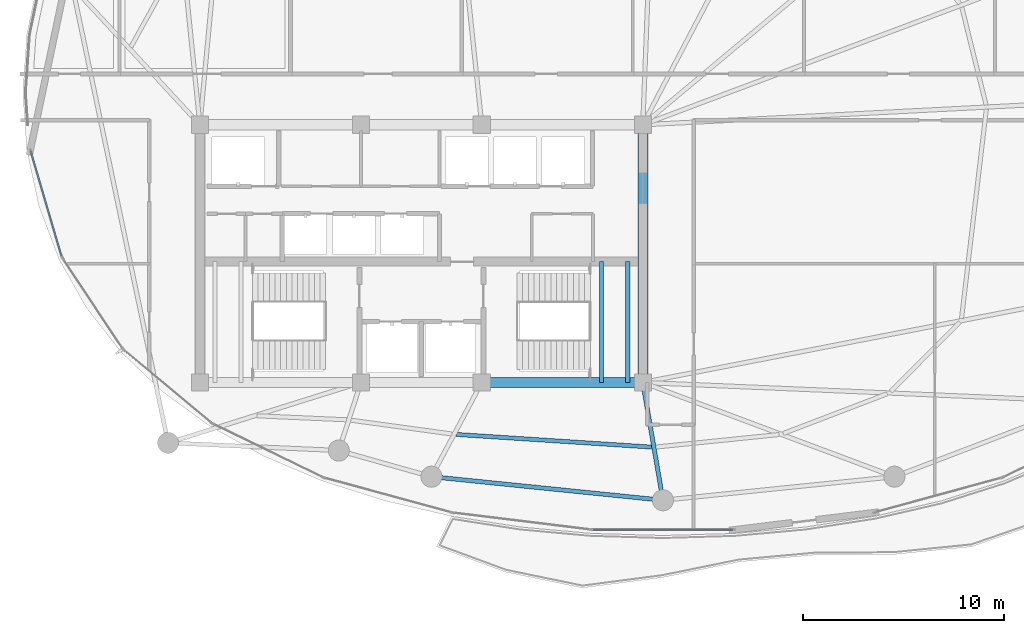
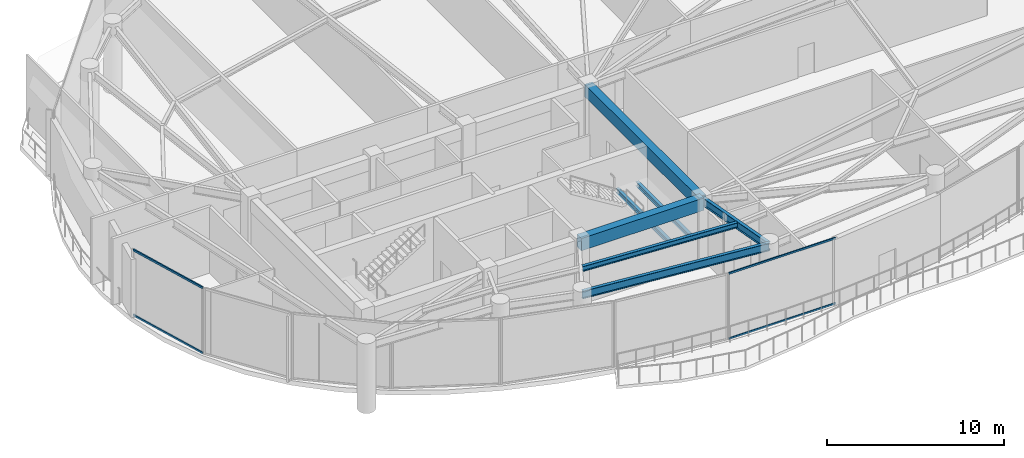
# One storey, part 6 of 28: 7 beams, 4 members, 2 elements without a shape of their own.
"""IFC4 building model written with IfcOpenShell, lengths in metres."""

from ifc_helpers import new_model, si_unit, direction, frame, origin, origin_2d, place, context, subcontext, project, spatial, rectangle, hollow_rectangle, i_section, extrude, material, layer, layer_set, material_profile, profile_set, type_object, element, aggregate, save


model = new_model("IFC4")

# Units and contexts
model_context = context("Model", 3, precision=1e-05, world=origin(), true_north=direction((0.0, 1.0)))
body_context = subcontext(model_context, "Body", "Model", "MODEL_VIEW")
ifc_project = project(units=[si_unit("LENGTHUNIT", "METRE"), si_unit("AREAUNIT", "SQUARE_METRE"), si_unit("VOLUMEUNIT", "CUBIC_METRE"), si_unit("PLANEANGLEUNIT", "RADIAN"), si_unit("MASSUNIT", "GRAM", prefix="KILO")], contexts=[model_context])

# Site, building, storey
site_placement = place(None, origin())
site = spatial("IfcSite", under=ifc_project, at=site_placement, CompositionType="ELEMENT")
building_placement = place(site_placement, origin())
building = spatial("IfcBuilding", under=site, at=building_placement, Name="Kazevale Care Tower and Concert Hall", CompositionType="ELEMENT")
storey_placement = place(building_placement, frame((0.0, 0.0, 190.800048828125)))
storey = spatial("IfcBuildingStorey", under=building, at=storey_placement, Name="L50", CompositionType="ELEMENT", Elevation=190.800048828125)

# Curtain wall, members
ifc_material_1 = material(Name="Aluminium 6063-T6 and Low-E Glass", Category="aluminium")
ifc_layer_1 = layer(ifc_material_1, 0.179931640625)
ifc_layer_set_1 = layer_set([ifc_layer_1], Name="Aluminium 6063-T6 and Low-E Glass")
curtain_wall_type_1 = type_object("IfcCurtainWallType", Name="Waist & Upper Residential Curtain Wall CW-4", PredefinedType="NOTDEFINED", material=ifc_layer_set_1)
curtain_wall_1_placement = place(storey_placement, origin())
curtain_wall_1 = element("IfcCurtainWall", 1, at=curtain_wall_1_placement, inside=storey, type_object=curtain_wall_type_1, Name="cw:L50:f12", PredefinedType="NOTDEFINED")
ifc_material_2 = material(Name="Aluminium 6063-T6", Category="aluminium")
ifc_material_profile_1 = material_profile(ifc_material_2, hollow_rectangle(XDim=0.080078125, YDim=0.139892578125, WallThickness=0.00390625, at=origin_2d()), Name="ALU80x140x4")
ifc_profile_set_1 = profile_set([ifc_material_profile_1], Name="Aluminium 6063-T6")
member_type_1 = type_object("IfcMemberType", Name="CW-4 Transom ALU80x140x4", PredefinedType="USERDEFINED", material=ifc_profile_set_1)
member_1_placement = place(storey_placement, frame((15.12548828125, 29.897705078125, 0.0400390625), z_axis=(-0.282102705943, 0.95938421047, 0.0), x_axis=(-0.95938421047, -0.282102705943, 0.0)))
member_1 = element("IfcMember", 2, at=member_1_placement, type_object=member_type_1, Name="CW-4 transom 1.1", ObjectType="TRANSOM", PredefinedType="USERDEFINED", context=body_context, shape_type="SweptSolid", body=[
    extrude(hollow_rectangle(XDim=0.080078125, YDim=0.139892578125, WallThickness=0.00390625, at=origin_2d()), origin(), (0.0, 0.0, 1.0), 5.402099609375),
])
member_2_placement = place(storey_placement, frame((15.12548828125, 29.897705078125, 4.52001953125), z_axis=(-0.282102705943, 0.95938421047, 0.0), x_axis=(-0.95938421047, -0.282102705943, 0.0)))
member_2 = element("IfcMember", 3, at=member_2_placement, type_object=member_type_1, Name="CW-4 transom 1.2", ObjectType="TRANSOM", PredefinedType="USERDEFINED", context=body_context, shape_type="SweptSolid", body=[
    extrude(hollow_rectangle(XDim=0.080078125, YDim=0.139892578125, WallThickness=0.00390625, at=origin_2d()), origin(), (0.0, 0.0, 1.0), 5.402099609375),
])
aggregate(curtain_wall_1, [member_1, member_2])

ifc_layer_2 = layer(ifc_material_1, 0.179931640625)
ifc_layer_set_2 = layer_set([ifc_layer_2], Name="Aluminium 6063-T6 and Low-E Glass")
curtain_wall_type_2 = type_object("IfcCurtainWallType", Name="Sheltered Concave Balcony Curtain Wall CW-5", PredefinedType="NOTDEFINED", material=ifc_layer_set_2)
curtain_wall_2_placement = place(storey_placement, origin())
curtain_wall_2 = element("IfcCurtainWall", 4, at=curtain_wall_2_placement, inside=storey, type_object=curtain_wall_type_2, Name="cw:L50:f06", PredefinedType="NOTDEFINED")
ifc_material_profile_2 = material_profile(ifc_material_2, hollow_rectangle(XDim=0.074951171875, YDim=0.1201171875, WallThickness=0.00390625, at=origin_2d()), Name="ALU75x120x4")
ifc_profile_set_2 = profile_set([ifc_material_profile_2], Name="Aluminium 6063-T6")
member_type_2 = type_object("IfcMemberType", Name="CW-5 Transom ALU75x120x4", PredefinedType="USERDEFINED", material=ifc_profile_set_2)
member_3_placement = place(storey_placement, frame((48.47509765625, 16.284912109375, 0.037353515625), z_axis=(-1.0, 0.0, 0.0), x_axis=(0.0, -1.0, 0.0)))
member_3 = element("IfcMember", 5, at=member_3_placement, type_object=member_type_2, Name="CW-5 transom 1.1", ObjectType="TRANSOM", PredefinedType="USERDEFINED", context=body_context, shape_type="SweptSolid", body=[
    extrude(hollow_rectangle(XDim=0.074951171875, YDim=0.1201171875, WallThickness=0.00390625, at=origin_2d()), origin(), (0.0, 0.0, 1.0), 6.9501953125),
])
member_4_placement = place(storey_placement, frame((48.47509765625, 16.284912109375, 4.5224609375), z_axis=(-1.0, 0.0, 0.0), x_axis=(0.0, -1.0, 0.0)))
member_4 = element("IfcMember", 6, at=member_4_placement, type_object=member_type_2, Name="CW-5 transom 1.2", ObjectType="TRANSOM", PredefinedType="USERDEFINED", context=body_context, shape_type="SweptSolid", body=[
    extrude(hollow_rectangle(XDim=0.074951171875, YDim=0.1201171875, WallThickness=0.00390625, at=origin_2d()), origin(), (0.0, 0.0, 1.0), 6.9501953125),
])
aggregate(curtain_wall_2, [member_3, member_4])

# Beams
ifc_material_3 = material(Name="Concrete C60", Category="concrete")
ifc_material_profile_3 = material_profile(ifc_material_3, rectangle(XDim=0.5, YDim=0.85009765625, at=origin_2d()), Name="RC-B500x850")
ifc_profile_set_3 = profile_set([ifc_material_profile_3], Name="Concrete C60")
beam_type_1 = type_object("IfcBeamType", Name="Core Coupling Beam RC500x850", PredefinedType="LINTEL", material=ifc_profile_set_3)
beam_1_placement = place(storey_placement, frame((36.0, 23.60009765625, 4.135009765625), z_axis=(1.0, 0.0, 0.0), x_axis=(0.0, 1.0, 0.0)))
element("IfcBeam", 7, at=beam_1_placement, inside=storey, type_object=beam_type_1, Name="beam:L50:coretie:3", PredefinedType="LINTEL", context=body_context, shape_type="SweptSolid", body=[
    extrude(rectangle(XDim=0.5, YDim=0.85009765625, at=origin_2d()), origin(), (0.0, 0.0, 1.0), 8.0),
])
beam_2_placement = place(storey_placement, frame((44.0, 23.60009765625, 4.135009765625), z_axis=(0.0, 1.0, 0.0), x_axis=(-1.0, 0.0, 0.0)))
element("IfcBeam", 8, at=beam_2_placement, inside=storey, type_object=beam_type_1, Name="beam:L50:coretie:4", PredefinedType="LINTEL", context=body_context, shape_type="SweptSolid", body=[
    extrude(rectangle(XDim=0.5, YDim=0.85009765625, at=origin_2d()), origin(), (0.0, 0.0, 1.0), 12.7998046875),
])
ifc_material_4 = material(Name="Steel ASTM A572 Gr 50", Category="steel")
ifc_material_profile_4 = material_profile(ifc_material_4, i_section(OverallWidth=0.2119140625, OverallDepth=0.5439453125, WebThickness=0.01318359375, FlangeThickness=0.021240234375, at=origin_2d()), Name="W530x123")
ifc_profile_set_4 = profile_set([ifc_material_profile_4], Name="Steel ASTM A572 Gr 50")
beam_type_2 = type_object("IfcBeamType", Name="Radial Floor Girder W530x123", PredefinedType="BEAM", material=ifc_profile_set_4)
beam_3_placement = place(storey_placement, frame((44.0, 23.60009765625, 4.287841796875), z_axis=(0.168493389607, -0.985702783631, 0.0), x_axis=(0.985702783631, 0.168493389607, 0.0)))
element("IfcBeam", 9, at=beam_3_placement, inside=storey, type_object=beam_type_2, Name="beam:L50:rad:13", PredefinedType="BEAM", context=body_context, shape_type="SweptSolid", body=[
    extrude(i_section(OverallWidth=0.2119140625, OverallDepth=0.5439453125, WebThickness=0.01318359375, FlangeThickness=0.021240234375, at=origin_2d()), origin(), (0.0, 0.0, 1.0), 5.93505859375),
])
ifc_material_profile_5 = material_profile(ifc_material_4, i_section(OverallWidth=0.205078125, OverallDepth=0.35400390625, WebThickness=0.009521484375, FlangeThickness=0.016845703125, at=origin_2d()), Name="W360x79")
ifc_profile_set_5 = profile_set([ifc_material_profile_5], Name="Steel ASTM A572 Gr 50")
beam_type_3 = type_object("IfcBeamType", Name="Secondary Floor Joist W360x79", PredefinedType="JOIST", material=ifc_profile_set_5)
beam_4_placement = place(storey_placement, frame((34.72998046875, 21.01904296875, 4.383056640625), z_axis=(0.997903161374, -0.064724651559, 0.0), x_axis=(0.064724651559, 0.997903161374, 0.0)))
element("IfcBeam", 10, at=beam_4_placement, inside=storey, type_object=beam_type_3, Name="beam:L50:joist:12", PredefinedType="JOIST", context=body_context, shape_type="SweptSolid", body=[
    extrude(i_section(OverallWidth=0.205078125, OverallDepth=0.35400390625, WebThickness=0.009521484375, FlangeThickness=0.016845703125, at=origin_2d()), origin(), (0.0, 0.0, 1.0), 9.735595703125),
])
ifc_material_profile_6 = material_profile(ifc_material_4, i_section(OverallWidth=0.202880859375, OverallDepth=0.302978515625, WebThickness=0.007568359375, FlangeThickness=0.01318359375, at=origin_2d()), Name="W310x60")
ifc_profile_set_6 = profile_set([ifc_material_profile_6], Name="Steel ASTM A572 Gr 50")
beam_type_4 = type_object("IfcBeamType", Name="Stair & Balcony Trimmer W310x60", PredefinedType="BEAM", material=ifc_profile_set_6)
for number, where, z_axis, x_axis, name in (
    (11, (41.949951171875, 23.60009765625, 2.04833984375), (0.0, 1.0, 0.0), (-1.0, 0.0, 0.0), "beam:L50:sttrim:ST2"),
    (12, (43.25, 23.60009765625, 2.04833984375), (0.0, 1.0, 0.0), (-1.0, 0.0, 0.0), "beam:L50:sttrim:ST2b"),
):
    element("IfcBeam", number, at=place(storey_placement, frame(where, z_axis=z_axis, x_axis=x_axis)), inside=storey, type_object=beam_type_4, Name=name, PredefinedType="BEAM", context=body_context, shape_type="SweptSolid", body=[
        extrude(i_section(OverallWidth=0.202880859375, OverallDepth=0.302978515625, WebThickness=0.007568359375, FlangeThickness=0.01318359375, at=origin_2d()), origin(), (0.0, 0.0, 1.0), 6.0),
    ])
ifc_material_profile_7 = material_profile(ifc_material_4, i_section(OverallWidth=0.208984375, OverallDepth=0.532958984375, WebThickness=0.01025390625, FlangeThickness=0.015625, at=origin_2d()), Name="W530x92")
ifc_profile_set_7 = profile_set([ifc_material_profile_7], Name="Steel ASTM A572 Gr 50")
beam_type_5 = type_object("IfcBeamType", Name="Upper Ring Beam W530x92", PredefinedType="BEAM", material=ifc_profile_set_7)
beam_5_placement = place(storey_placement, frame((33.5, 18.919921875, 4.29345703125), z_axis=(0.994865089307, -0.101209950492, 0.0), x_axis=(0.101209950492, 0.994865089307, 0.0)))
element("IfcBeam", 13, at=beam_5_placement, inside=storey, type_object=beam_type_5, Name="beam:L50:ring:12", PredefinedType="BEAM", context=body_context, shape_type="SweptSolid", body=[
    extrude(i_section(OverallWidth=0.208984375, OverallDepth=0.532958984375, WebThickness=0.01025390625, FlangeThickness=0.015625, at=origin_2d()), origin(), (0.0, 0.0, 1.0), 11.559326171875),
])

save(model, "model.ifc")
